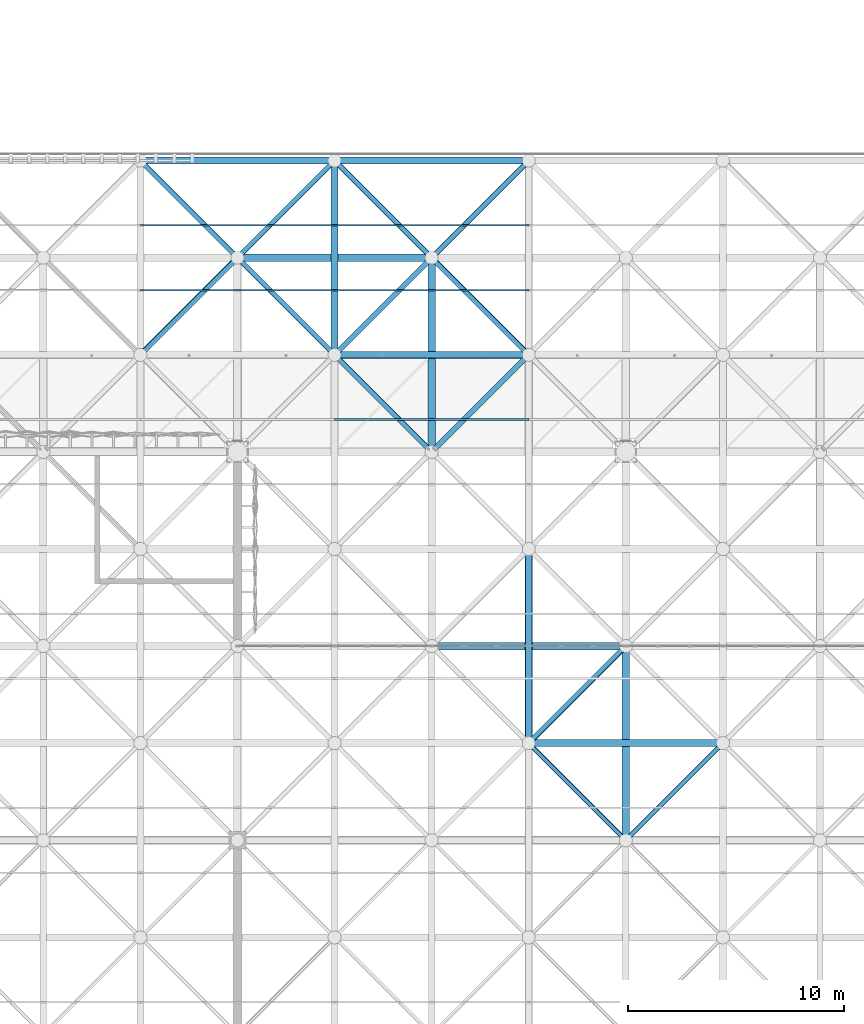
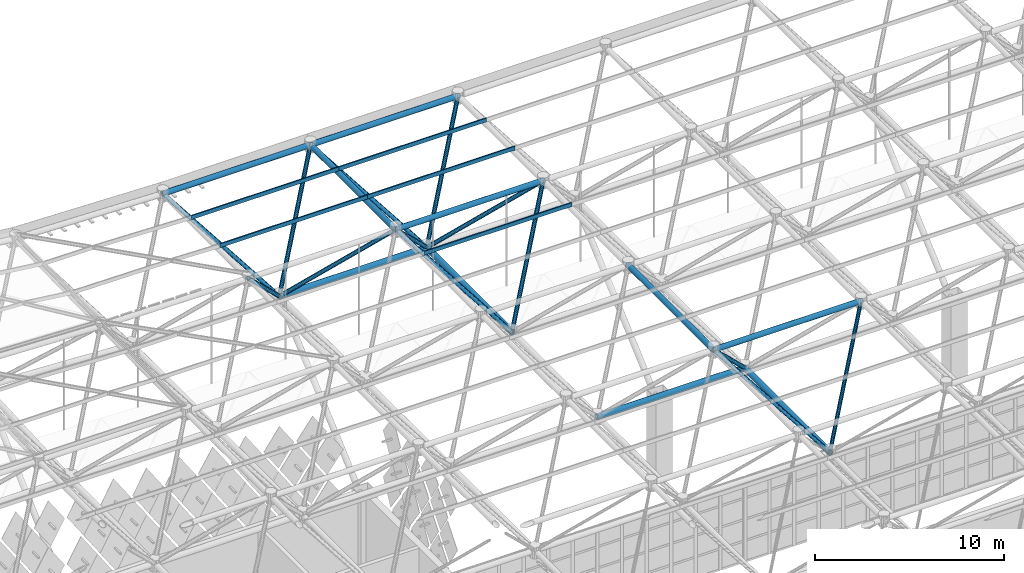
# One storey, part 163 of 437: 28 members.
"""IFC4 building model written with IfcOpenShell, lengths in metres."""

from ifc_helpers import new_model, si_unit, direction, frame, origin, origin_2d, place, context, subcontext, project, spatial, polyline, hollow_circle, outline, extrude, material, material_profile, profile_set, type_object, element, save


model = new_model("IFC4")

# Units and contexts
model_context = context("Model", 3, precision=1e-05, world=origin(), true_north=direction((0.0, 1.0)))
body_context = subcontext(model_context, "Body", "Model", "MODEL_VIEW")
ifc_project = project(units=[si_unit("LENGTHUNIT", "METRE"), si_unit("AREAUNIT", "SQUARE_METRE"), si_unit("VOLUMEUNIT", "CUBIC_METRE"), si_unit("PLANEANGLEUNIT", "RADIAN"), si_unit("MASSUNIT", "GRAM", prefix="KILO")], contexts=[model_context])

# Site, building, storey
site_placement = place(None, origin())
site = spatial("IfcSite", under=ifc_project, at=site_placement, CompositionType="ELEMENT")
building_placement = place(site_placement, origin())
building = spatial("IfcBuilding", under=site, at=building_placement, Name="Opaline Strait Convention Centre", CompositionType="ELEMENT")
storey_placement = place(building_placement, frame((0.0, 0.0, 11.5)))
storey = spatial("IfcBuildingStorey", under=building, at=storey_placement, Name="L02", CompositionType="ELEMENT", Elevation=11.5)

# Members
ifc_material = material(Name="Steel Q355B", Category="steel")
ifc_material_profile_1 = material_profile(ifc_material, outline(polyline([(-0.03759765625, -0.125), (0.03759765625, -0.125), (0.03759765625, -0.10498046875), (0.034912109375, -0.10498046875), (0.034912109375, -0.12255859375), (-0.034912109375, -0.12255859375), (-0.034912109375, 0.12255859375), (0.034912109375, 0.12255859375), (0.034912109375, 0.10498046875), (0.03759765625, 0.10498046875), (0.03759765625, 0.125), (-0.03759765625, 0.125), (-0.03759765625, -0.125)])), Name="C 250x75x20x2.5")
ifc_profile_set_1 = profile_set([ifc_material_profile_1], Name="Steel Q355B")
member_type_1 = type_object("IfcMemberType", Name="Roof purlin C 250x75x20x2.5", PredefinedType="PURLIN", material=ifc_profile_set_1)
for number, where, z_axis, x_axis, name in (
    (1, (157.5, 154.5, 18.257080078125), (1.0, 0.0, 0.0), (0.0, 1.0, 0.0), "EXB-RF-P-8-12-1"),
    (2, (148.5, 160.5, 18.257080078125), (1.0, 0.0, 0.0), (0.0, 1.0, 0.0), "EXB-RF-P-7-13-0"),
    (3, (148.5, 163.5, 18.257080078125), (1.0, 0.0, 0.0), (0.0, 1.0, 0.0), "EXB-RF-P-7-13-1"),
    (4, (157.5, 160.5, 18.257080078125), (1.0, 0.0, 0.0), (0.0, 1.0, 0.0), "EXB-RF-P-8-13-0"),
    (5, (157.5, 163.5, 18.257080078125), (1.0, 0.0, 0.0), (0.0, 1.0, 0.0), "EXB-RF-P-8-13-1"),
):
    element("IfcMember", number, at=place(storey_placement, frame(where, z_axis=z_axis, x_axis=x_axis)), inside=storey, type_object=member_type_1, Name=name, PredefinedType="PURLIN", context=body_context, shape_type="SweptSolid", body=[
        extrude(outline(polyline([(-0.03759765625, -0.125), (0.03759765625, -0.125), (0.03759765625, -0.10498046875), (0.034912109375, -0.10498046875), (0.034912109375, -0.12255859375), (-0.034912109375, -0.12255859375), (-0.034912109375, 0.12255859375), (0.034912109375, 0.12255859375), (0.034912109375, 0.10498046875), (0.03759765625, 0.10498046875), (0.03759765625, 0.125), (-0.03759765625, 0.125), (-0.03759765625, -0.125)])), origin(), (0.0, 0.0, 1.0), 9.0),
    ])
ifc_material_profile_2 = material_profile(ifc_material, hollow_circle(Radius=0.175537109375, WallThickness=0.01611328125, at=origin_2d()), Name="CHS 351x16")
ifc_profile_set_2 = profile_set([ifc_material_profile_2], Name="Steel Q355B")
member_type_2 = type_object("IfcMemberType", Name="Space frame bottom chord CHS 351x16", PredefinedType="CHORD", material=ifc_profile_set_2)
for number, where, z_axis, x_axis, name in (
    (6, (161.949951171875, 144.0, 12.5), (1.0, 0.0, 0.0), (0.0, 1.0, 0.0), "EXB-RF-BX-8-11"),
    (7, (152.949951171875, 162.0, 12.5), (1.0, 0.0, 0.0), (0.0, 1.0, 0.0), "EXB-RF-BX-7-13"),
    (8, (162.0, 152.949951171875, 12.5), (0.0, 1.0, 0.0), (-1.0, 0.0, 0.0), "EXB-RF-BY-8-12"),
    (9, (171.0, 134.949951171875, 12.5), (0.0, 1.0, 0.0), (-1.0, 0.0, 0.0), "EXB-RF-BY-9-10"),
):
    element("IfcMember", number, at=place(storey_placement, frame(where, z_axis=z_axis, x_axis=x_axis)), inside=storey, type_object=member_type_2, Name=name, PredefinedType="CHORD", context=body_context, shape_type="SweptSolid", body=[
        extrude(hollow_circle(Radius=0.175537109375, WallThickness=0.01611328125, at=origin_2d()), origin(), (0.0, 0.0, 1.0), 9.10009765625),
    ])
ifc_material_profile_3 = material_profile(ifc_material, hollow_circle(Radius=0.16259765625, WallThickness=0.013916015625, at=origin_2d()), Name="CHS 325x14")
ifc_profile_set_3 = profile_set([ifc_material_profile_3], Name="Steel Q355B")
member_type_3 = type_object("IfcMemberType", Name="Space frame top chord CHS 325x14", PredefinedType="CHORD", material=ifc_profile_set_3)
member_placement = place(storey_placement, frame((157.449951171875, 166.5, 17.971435546875), z_axis=(1.0, 0.0, 0.0), x_axis=(0.0, 1.0, 0.0)))
element("IfcMember", 10, at=member_placement, inside=storey, type_object=member_type_3, Name="EXB-RF-TX-8-14", PredefinedType="CHORD", context=body_context, shape_type="SweptSolid", body=[
    extrude(hollow_circle(Radius=0.16259765625, WallThickness=0.013916015625, at=origin_2d()), origin(), (0.0, 0.0, 1.0), 9.10009765625),
])
ifc_material_profile_4 = material_profile(ifc_material, hollow_circle(Radius=0.16259765625, WallThickness=0.02001953125, at=origin_2d()), Name="CHS 325x20")
ifc_profile_set_4 = profile_set([ifc_material_profile_4], Name="Steel Q355B")
member_type_4 = type_object("IfcMemberType", Name="Space frame top chord CHS 325x20", PredefinedType="CHORD", material=ifc_profile_set_4)
for number, where, z_axis, x_axis, name in (
    (11, (166.449951171875, 139.5, 17.971435546875), (1.0, 0.0, 0.0), (0.0, 1.0, 0.0), "EXB-RF-TX-9-11"),
    (12, (157.449951171875, 157.5, 17.971435546875), (1.0, 0.0, 0.0), (0.0, 1.0, 0.0), "EXB-RF-TX-8-13"),
    (13, (148.449951171875, 166.5, 17.971435546875), (1.0, 0.0, 0.0), (0.0, 1.0, 0.0), "EXB-RF-TX-7-14"),
    (14, (157.5, 157.449951171875, 17.971435546875), (0.0, 1.0, 0.0), (-1.0, 0.0, 0.0), "EXB-RF-TY-8-13"),
    (15, (166.5, 139.449951171875, 17.971435546875), (0.0, 1.0, 0.0), (-1.0, 0.0, 0.0), "EXB-RF-TY-9-11"),
):
    element("IfcMember", number, at=place(storey_placement, frame(where, z_axis=z_axis, x_axis=x_axis)), inside=storey, type_object=member_type_4, Name=name, PredefinedType="CHORD", context=body_context, shape_type="SweptSolid", body=[
        extrude(hollow_circle(Radius=0.16259765625, WallThickness=0.02001953125, at=origin_2d()), origin(), (0.0, 0.0, 1.0), 9.10009765625),
    ])
ifc_material_profile_5 = material_profile(ifc_material, hollow_circle(Radius=0.109619140625, WallThickness=0.010009765625, at=origin_2d()), Name="CHS 219x10")
ifc_profile_set_5 = profile_set([ifc_material_profile_5], Name="Steel Q355B")
member_type_5 = type_object("IfcMemberType", Name="Space frame web CHS 219x10", PredefinedType="BRACE", material=ifc_profile_set_5)
for number, where, z_axis, x_axis, name in (
    (16, (166.47314453125, 139.52685546875, 18.004150390625), (0.536178220346, -0.536178220346, -0.6519400525), (0.707106781187, 0.707106781187, 0.0), "EXB-RF-W-9-10-01"),
    (17, (175.52685546875, 139.52685546875, 18.004150390625), (-0.536178220346, -0.536178220346, -0.6519400525), (0.707106781187, -0.707106781187, 0.0), "EXB-RF-W-9-10-11"),
):
    element("IfcMember", number, at=place(storey_placement, frame(where, z_axis=z_axis, x_axis=x_axis)), inside=storey, type_object=member_type_5, Name=name, PredefinedType="BRACE", context=body_context, shape_type="SweptSolid", body=[
        extrude(hollow_circle(Radius=0.109619140625, WallThickness=0.010009765625, at=origin_2d()), origin(), (0.0, 0.0, 1.0), 8.492919921875),
    ])
ifc_material_profile_6 = material_profile(ifc_material, hollow_circle(Radius=0.12255859375, WallThickness=0.011962890625, at=origin_2d()), Name="CHS 245x12")
ifc_profile_set_6 = profile_set([ifc_material_profile_6], Name="Steel Q355B")
member_type_6 = type_object("IfcMemberType", Name="Space frame web CHS 245x12", PredefinedType="BRACE", material=ifc_profile_set_6)
for number, where, z_axis, x_axis, name in (
    (18, (148.47314453125, 157.47314453125, 18.004150390625), (0.536178220346, 0.536178220346, -0.6519400525), (-0.707106781187, 0.707106781187, 0.0), "EXB-RF-W-7-13-00"),
    (19, (148.47314453125, 166.52685546875, 18.004150390625), (0.536178220346, -0.536178220346, -0.6519400525), (0.707106781187, 0.707106781187, 0.0), "EXB-RF-W-7-13-01"),
    (20, (157.52685546875, 157.47314453125, 18.004150390625), (-0.536178220346, 0.536178220346, -0.6519400525), (-0.707106781187, -0.707106781187, 0.0), "EXB-RF-W-7-13-10"),
    (21, (157.52685546875, 166.52685546875, 18.004150390625), (-0.536178220346, -0.536178220346, -0.6519400525), (0.707106781187, -0.707106781187, 0.0), "EXB-RF-W-7-13-11"),
    (22, (157.47314453125, 157.52685546875, 18.004150390625), (0.536178220346, -0.536178220346, -0.6519400525), (0.707106781187, 0.707106781187, 0.0), "EXB-RF-W-8-12-01"),
    (23, (166.52685546875, 157.52685546875, 18.004150390625), (-0.536178220346, -0.536178220346, -0.6519400525), (0.707106781187, -0.707106781187, 0.0), "EXB-RF-W-8-12-11"),
    (24, (157.47314453125, 157.47314453125, 18.004150390625), (0.536178220346, 0.536178220346, -0.6519400525), (-0.707106781187, 0.707106781187, 0.0), "EXB-RF-W-8-13-00"),
    (25, (157.47314453125, 166.52685546875, 18.004150390625), (0.536178220346, -0.536178220346, -0.6519400525), (0.707106781187, 0.707106781187, 0.0), "EXB-RF-W-8-13-01"),
    (26, (166.52685546875, 157.47314453125, 18.004150390625), (-0.536178220346, 0.536178220346, -0.6519400525), (-0.707106781187, -0.707106781187, 0.0), "EXB-RF-W-8-13-10"),
    (27, (166.52685546875, 166.52685546875, 18.004150390625), (-0.536178220346, -0.536178220346, -0.6519400525), (0.707106781187, -0.707106781187, 0.0), "EXB-RF-W-8-13-11"),
    (28, (166.47314453125, 139.47314453125, 18.004150390625), (0.536178220346, 0.536178220346, -0.6519400525), (-0.707106781187, 0.707106781187, 0.0), "EXB-RF-W-9-11-00"),
):
    element("IfcMember", number, at=place(storey_placement, frame(where, z_axis=z_axis, x_axis=x_axis)), inside=storey, type_object=member_type_6, Name=name, PredefinedType="BRACE", context=body_context, shape_type="SweptSolid", body=[
        extrude(hollow_circle(Radius=0.12255859375, WallThickness=0.011962890625, at=origin_2d()), origin(), (0.0, 0.0, 1.0), 8.492919921875),
    ])

save(model, "model.ifc")
